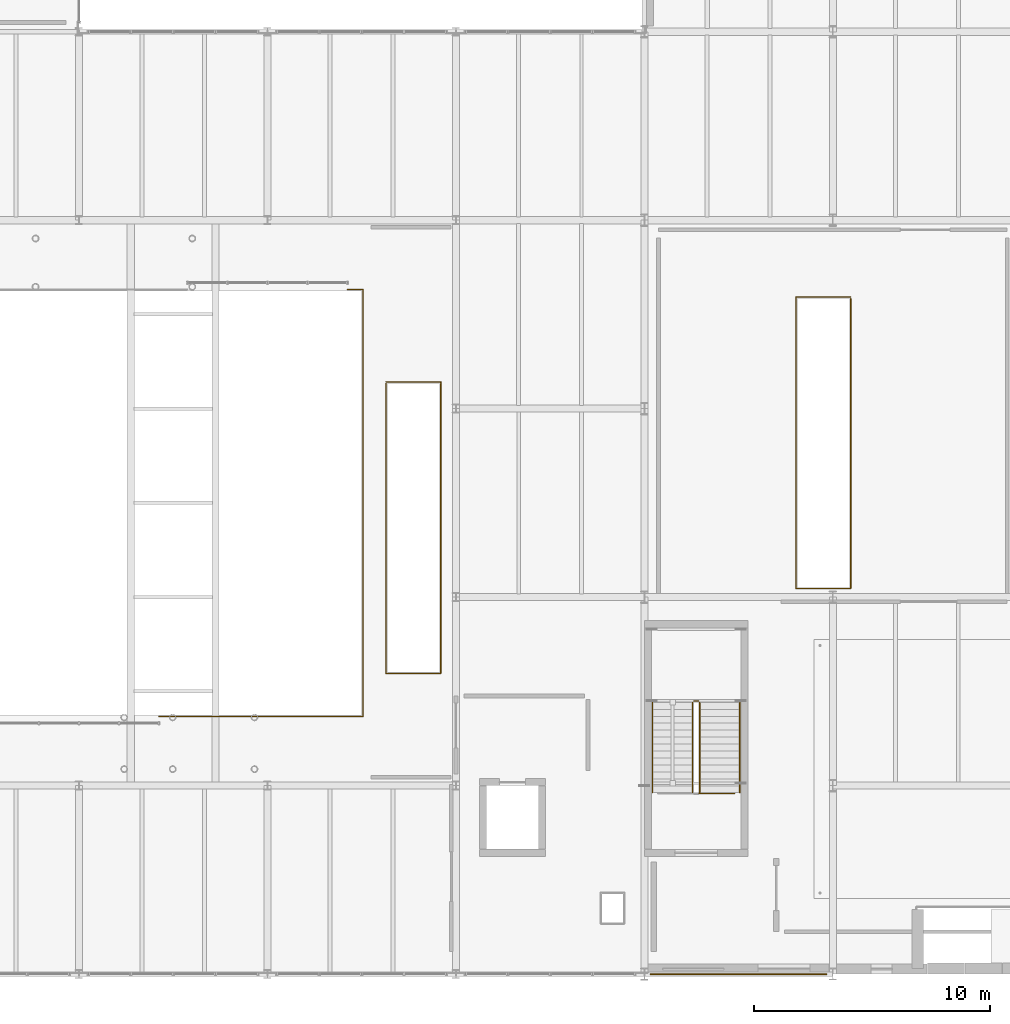
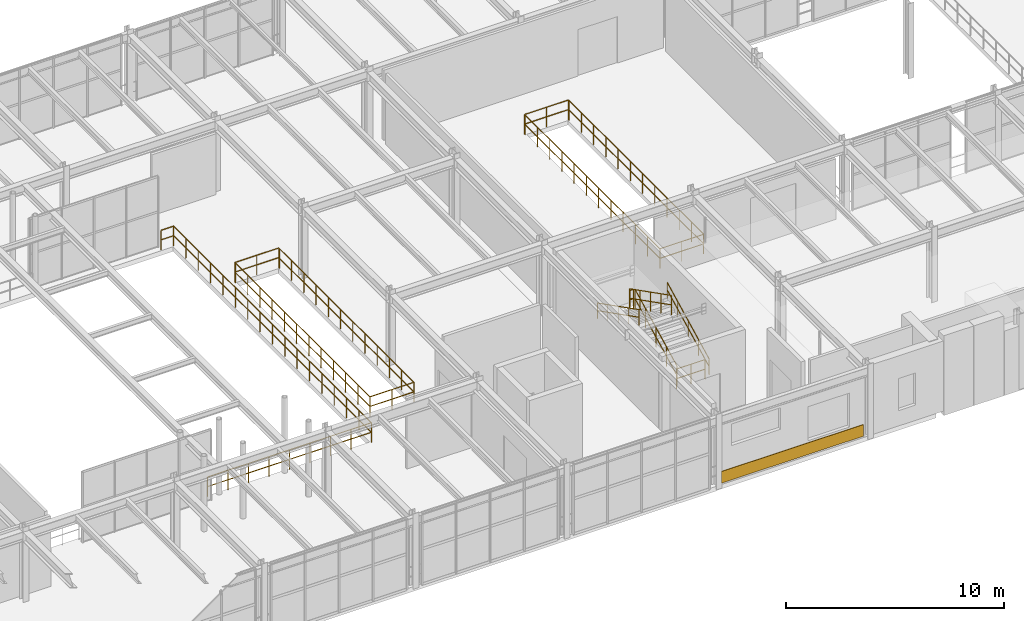
# One storey, part 113 of 122: 11 railings, 1 covering.
"""IFC4 building model written with IfcOpenShell, lengths in metres."""

from ifc_helpers import new_model, si_unit, direction, frame, origin, origin_2d, place, context, subcontext, project, spatial, rectangle, circle, extrude, material, layer, layer_set, type_object, element, save


model = new_model("IFC4")

# Units and contexts
model_context = context("Model", 3, precision=1e-05, world=origin(), true_north=direction((0.0, 1.0)))
body_context = subcontext(model_context, "Body", "Model", "MODEL_VIEW")
ifc_project = project(units=[si_unit("LENGTHUNIT", "METRE"), si_unit("AREAUNIT", "SQUARE_METRE"), si_unit("VOLUMEUNIT", "CUBIC_METRE"), si_unit("PLANEANGLEUNIT", "RADIAN"), si_unit("MASSUNIT", "GRAM", prefix="KILO")], contexts=[model_context])

# Site, building, storey
site_placement = place(None, origin())
site = spatial("IfcSite", under=ifc_project, at=site_placement, CompositionType="ELEMENT")
building_placement = place(site_placement, origin())
building = spatial("IfcBuilding", under=site, at=building_placement, Name="Sundkrona Museum", CompositionType="ELEMENT")
storey_placement = place(building_placement, frame((0.0, 0.0, 5.39990234375)))
storey = spatial("IfcBuildingStorey", under=building, at=storey_placement, Name="L01", CompositionType="ELEMENT", Elevation=5.39990234375)

# Covering
ifc_material_1 = material(Name="Frost-Resistant Vitrified Stoneware Mosaic Cladding", Category="masonry")
ifc_layer = layer(ifc_material_1, 0.044921875)
ifc_layer_set = layer_set([ifc_layer], Name="Frost-Resistant Vitrified Stoneware Mosaic Cladding")
covering_type = type_object("IfcCoveringType", Name="COV-CLD-MOS", PredefinedType="CLADDING", material=ifc_layer_set)
covering_placement = place(storey_placement, frame((124.0, 0.0, 0.09521484375), z_axis=(0.0, 0.0, 1.0), x_axis=(1.0, 0.0, 0.0)))
element("IfcCovering", 1, at=covering_placement, inside=storey, type_object=covering_type, Name="L01 Vitrified Stoneware Mosaic Spandrel 001", PredefinedType="CLADDING", context=body_context, shape_type="SweptSolid", body=[
    extrude(rectangle(XDim=7.49609375, YDim=0.044921875, at=origin_2d()), origin(), (0.0, 0.0, 1.0), 0.64990234375),
])

# Railings
ifc_material_2 = material(Name="Painted Steel S355J2 and Laminated Glass Balustrade", Category="steel")
railing_type_1 = type_object("IfcRailingType", Name="RL-GUARD-1100", PredefinedType="BALUSTRADE", material=ifc_material_2)
railing_1_placement = place(storey_placement, frame((122.35009765625, 7.699951171875, 0.150146484375)))
element("IfcRailing", 2, at=railing_1_placement, inside=storey, type_object=railing_type_1, Name="L01 ST-2 stair guard 1", PredefinedType="BALUSTRADE", context=body_context, shape_type="SweptSolid", body=[
    extrude(circle(Radius=0.02392578125, at=origin_2d()), frame((0.0, 0.0, 1.076171875), z_axis=(0.0, 0.891387850335, 0.453241326752), x_axis=(-1.0, 0.0, 0.0)), (0.0, 0.0, 1.0), 4.30224609375),
    extrude(circle(Radius=0.02392578125, at=origin_2d()), frame((0.0, 0.0, 0.550048828125), z_axis=(0.0, 0.891387850335, 0.453241326752), x_axis=(-1.0, 0.0, 0.0)), (0.0, 0.0, 1.0), 4.30224609375),
    extrude(circle(Radius=0.02099609375, at=origin_2d()), origin(), (0.0, 0.0, 1.0), 1.052001953125),
    extrude(circle(Radius=0.02099609375, at=origin_2d()), frame((0.0, 0.958740234375, 0.487548828125)), (0.0, 0.0, 1.0), 1.052001953125),
    extrude(circle(Radius=0.02099609375, at=origin_2d()), frame((0.0, 1.91748046875, 0.97509765625)), (0.0, 0.0, 1.0), 1.052001953125),
    extrude(circle(Radius=0.02099609375, at=origin_2d()), frame((0.0, 2.876220703125, 1.46240234375)), (0.0, 0.0, 1.0), 1.052001953125),
    extrude(circle(Radius=0.02099609375, at=origin_2d()), frame((0.0, 3.8349609375, 1.949951171875)), (0.0, 0.0, 1.0), 1.052001953125),
])
railing_2_placement = place(storey_placement, frame((122.300048828125, 11.5849609375, 2.10009765625)))
element("IfcRailing", 3, at=railing_2_placement, inside=storey, type_object=railing_type_1, Name="L01 ST-2 stair guard 2", PredefinedType="BALUSTRADE", context=body_context, shape_type="SweptSolid", body=[
    extrude(circle(Radius=0.02392578125, at=origin_2d()), frame((0.0, 0.0, 1.076171875), z_axis=(-1.0, 0.0, 0.0), x_axis=(0.0, -1.0, 0.0)), (0.0, 0.0, 1.0), 0.199951171875),
    extrude(circle(Radius=0.02392578125, at=origin_2d()), frame((0.0, 0.0, 0.550048828125), z_axis=(-1.0, 0.0, 0.0), x_axis=(0.0, -1.0, 0.0)), (0.0, 0.0, 1.0), 0.199951171875),
    extrude(circle(Radius=0.02099609375, at=origin_2d()), origin(), (0.0, 0.0, 1.0), 1.052001953125),
    extrude(circle(Radius=0.02099609375, at=origin_2d()), frame((-0.199951171875, 0.0, 0.0)), (0.0, 0.0, 1.0), 1.052001953125),
])
railing_3_placement = place(storey_placement, frame((122.050048828125, 11.534912109375, 2.25)))
element("IfcRailing", 4, at=railing_3_placement, inside=storey, type_object=railing_type_1, Name="L01 ST-2 stair guard 3", PredefinedType="BALUSTRADE", context=body_context, shape_type="SweptSolid", body=[
    extrude(circle(Radius=0.02392578125, at=origin_2d()), frame((0.0, 0.0, 1.076171875), z_axis=(0.0, -0.891364923058, 0.453286414909), x_axis=(1.0, 0.0, 0.0)), (0.0, 0.0, 1.0), 4.30224609375),
    extrude(circle(Radius=0.02392578125, at=origin_2d()), frame((0.0, 0.0, 0.550048828125), z_axis=(0.0, -0.891364923058, 0.453286414909), x_axis=(1.0, 0.0, 0.0)), (0.0, 0.0, 1.0), 4.30224609375),
    extrude(circle(Radius=0.02099609375, at=origin_2d()), origin(), (0.0, 0.0, 1.0), 1.052001953125),
    extrude(circle(Radius=0.02099609375, at=origin_2d()), frame((0.0, -0.958740234375, 0.487548828125)), (0.0, 0.0, 1.0), 1.052001953125),
    extrude(circle(Radius=0.02099609375, at=origin_2d()), frame((0.0, -1.91748046875, 0.97509765625)), (0.0, 0.0, 1.0), 1.052001953125),
    extrude(circle(Radius=0.02099609375, at=origin_2d()), frame((0.0, -2.876220703125, 1.462646484375)), (0.0, 0.0, 1.0), 1.052001953125),
    extrude(circle(Radius=0.02099609375, at=origin_2d()), frame((0.0, -3.8349609375, 1.9501953125)), (0.0, 0.0, 1.0), 1.052001953125),
])
railing_4_placement = place(storey_placement, frame((109.0400390625, 25.080078125, 0.0)))
element("IfcRailing", 5, at=railing_4_placement, inside=storey, type_object=railing_type_1, Name="FS-1 Arrival Floor Well Balustrade", PredefinedType="BALUSTRADE", context=body_context, shape_type="SweptSolid", body=[
    extrude(circle(Radius=0.02392578125, at=origin_2d()), frame((0.0, 0.0, 1.09619140625), z_axis=(0.0, -1.0, 0.0), x_axis=(1.0, 0.0, 0.0)), (0.0, 0.0, 1.0), 12.320068359375),
    extrude(circle(Radius=0.02392578125, at=origin_2d()), frame((0.0, 0.0, 0.56005859375), z_axis=(0.0, -1.0, 0.0), x_axis=(1.0, 0.0, 0.0)), (0.0, 0.0, 1.0), 12.320068359375),
    extrude(circle(Radius=0.02392578125, at=origin_2d()), frame((0.0, -12.320068359375, 1.09619140625), z_axis=(1.0, 0.0, 0.0), x_axis=(0.0, 1.0, 0.0)), (0.0, 0.0, 1.0), 2.320068359375),
    extrude(circle(Radius=0.02392578125, at=origin_2d()), frame((0.0, -12.320068359375, 0.56005859375), z_axis=(1.0, 0.0, 0.0), x_axis=(0.0, 1.0, 0.0)), (0.0, 0.0, 1.0), 2.320068359375),
    extrude(circle(Radius=0.02392578125, at=origin_2d()), frame((2.320068359375, -12.320068359375, 1.09619140625), z_axis=(0.0, 1.0, 0.0), x_axis=(-1.0, 0.0, 0.0)), (0.0, 0.0, 1.0), 12.320068359375),
    extrude(circle(Radius=0.02392578125, at=origin_2d()), frame((2.320068359375, -12.320068359375, 0.56005859375), z_axis=(0.0, 1.0, 0.0), x_axis=(-1.0, 0.0, 0.0)), (0.0, 0.0, 1.0), 12.320068359375),
    extrude(circle(Radius=0.02099609375, at=origin_2d()), origin(), (0.0, 0.0, 1.0), 1.072021484375),
    extrude(circle(Radius=0.02099609375, at=origin_2d()), frame((0.0, -1.1201171875, 0.0)), (0.0, 0.0, 1.0), 1.072021484375),
    extrude(circle(Radius=0.02099609375, at=origin_2d()), frame((0.0, -2.239990234375, 0.0)), (0.0, 0.0, 1.0), 1.072021484375),
    extrude(circle(Radius=0.02099609375, at=origin_2d()), frame((0.0, -3.360107421875, 0.0)), (0.0, 0.0, 1.0), 1.072021484375),
    extrude(circle(Radius=0.02099609375, at=origin_2d()), frame((0.0, -4.47998046875, 0.0)), (0.0, 0.0, 1.0), 1.072021484375),
    extrude(circle(Radius=0.02099609375, at=origin_2d()), frame((0.0, -5.60009765625, 0.0)), (0.0, 0.0, 1.0), 1.072021484375),
    extrude(circle(Radius=0.02099609375, at=origin_2d()), frame((0.0, -6.719970703125, 0.0)), (0.0, 0.0, 1.0), 1.072021484375),
    extrude(circle(Radius=0.02099609375, at=origin_2d()), frame((0.0, -7.840087890625, 0.0)), (0.0, 0.0, 1.0), 1.072021484375),
    extrude(circle(Radius=0.02099609375, at=origin_2d()), frame((0.0, -8.9599609375, 0.0)), (0.0, 0.0, 1.0), 1.072021484375),
    extrude(circle(Radius=0.02099609375, at=origin_2d()), frame((0.0, -10.080078125, 0.0)), (0.0, 0.0, 1.0), 1.072021484375),
    extrude(circle(Radius=0.02099609375, at=origin_2d()), frame((0.0, -11.199951171875, 0.0)), (0.0, 0.0, 1.0), 1.072021484375),
    extrude(circle(Radius=0.02099609375, at=origin_2d()), frame((0.0, -12.320068359375, 0.0)), (0.0, 0.0, 1.0), 1.072021484375),
    extrude(circle(Radius=0.02099609375, at=origin_2d()), frame((1.16015625, -12.320068359375, 0.0)), (0.0, 0.0, 1.0), 1.072021484375),
    extrude(circle(Radius=0.02099609375, at=origin_2d()), frame((2.320068359375, -12.320068359375, 0.0)), (0.0, 0.0, 1.0), 1.072021484375),
    extrude(circle(Radius=0.02099609375, at=origin_2d()), frame((2.320068359375, -11.199951171875, 0.0)), (0.0, 0.0, 1.0), 1.072021484375),
    extrude(circle(Radius=0.02099609375, at=origin_2d()), frame((2.320068359375, -10.080078125, 0.0)), (0.0, 0.0, 1.0), 1.072021484375),
    extrude(circle(Radius=0.02099609375, at=origin_2d()), frame((2.320068359375, -8.9599609375, 0.0)), (0.0, 0.0, 1.0), 1.072021484375),
    extrude(circle(Radius=0.02099609375, at=origin_2d()), frame((2.320068359375, -7.840087890625, 0.0)), (0.0, 0.0, 1.0), 1.072021484375),
    extrude(circle(Radius=0.02099609375, at=origin_2d()), frame((2.320068359375, -6.719970703125, 0.0)), (0.0, 0.0, 1.0), 1.072021484375),
    extrude(circle(Radius=0.02099609375, at=origin_2d()), frame((2.320068359375, -5.60009765625, 0.0)), (0.0, 0.0, 1.0), 1.072021484375),
    extrude(circle(Radius=0.02099609375, at=origin_2d()), frame((2.320068359375, -4.47998046875, 0.0)), (0.0, 0.0, 1.0), 1.072021484375),
    extrude(circle(Radius=0.02099609375, at=origin_2d()), frame((2.320068359375, -3.360107421875, 0.0)), (0.0, 0.0, 1.0), 1.072021484375),
    extrude(circle(Radius=0.02099609375, at=origin_2d()), frame((2.320068359375, -2.239990234375, 0.0)), (0.0, 0.0, 1.0), 1.072021484375),
    extrude(circle(Radius=0.02099609375, at=origin_2d()), frame((2.320068359375, -1.1201171875, 0.0)), (0.0, 0.0, 1.0), 1.072021484375),
    extrude(circle(Radius=0.02099609375, at=origin_2d()), frame((2.320068359375, 0.0, 0.0)), (0.0, 0.0, 1.0), 1.072021484375),
])
railing_5_placement = place(storey_placement, frame((126.43994140625, 28.679931640625, 0.0)))
element("IfcRailing", 6, at=railing_5_placement, inside=storey, type_object=railing_type_1, Name="FS-5 Arrival Floor Well Balustrade", PredefinedType="BALUSTRADE", context=body_context, shape_type="SweptSolid", body=[
    extrude(circle(Radius=0.02392578125, at=origin_2d()), frame((0.0, 0.0, 1.09619140625), z_axis=(0.0, -1.0, 0.0), x_axis=(1.0, 0.0, 0.0)), (0.0, 0.0, 1.0), 12.31982421875),
    extrude(circle(Radius=0.02392578125, at=origin_2d()), frame((0.0, 0.0, 0.56005859375), z_axis=(0.0, -1.0, 0.0), x_axis=(1.0, 0.0, 0.0)), (0.0, 0.0, 1.0), 12.31982421875),
    extrude(circle(Radius=0.02392578125, at=origin_2d()), frame((0.0, -12.31982421875, 1.09619140625), z_axis=(1.0, 0.0, 0.0), x_axis=(0.0, 1.0, 0.0)), (0.0, 0.0, 1.0), 2.320068359375),
    extrude(circle(Radius=0.02392578125, at=origin_2d()), frame((0.0, -12.31982421875, 0.56005859375), z_axis=(1.0, 0.0, 0.0), x_axis=(0.0, 1.0, 0.0)), (0.0, 0.0, 1.0), 2.320068359375),
    extrude(circle(Radius=0.02392578125, at=origin_2d()), frame((2.320068359375, -12.31982421875, 1.09619140625), z_axis=(0.0, 1.0, 0.0), x_axis=(-1.0, 0.0, 0.0)), (0.0, 0.0, 1.0), 12.31982421875),
    extrude(circle(Radius=0.02392578125, at=origin_2d()), frame((2.320068359375, -12.31982421875, 0.56005859375), z_axis=(0.0, 1.0, 0.0), x_axis=(-1.0, 0.0, 0.0)), (0.0, 0.0, 1.0), 12.31982421875),
    extrude(circle(Radius=0.02099609375, at=origin_2d()), origin(), (0.0, 0.0, 1.0), 1.072021484375),
    extrude(circle(Radius=0.02099609375, at=origin_2d()), frame((0.0, -1.119873046875, 0.0)), (0.0, 0.0, 1.0), 1.072021484375),
    extrude(circle(Radius=0.02099609375, at=origin_2d()), frame((0.0, -2.239990234375, 0.0)), (0.0, 0.0, 1.0), 1.072021484375),
    extrude(circle(Radius=0.02099609375, at=origin_2d()), frame((0.0, -3.35986328125, 0.0)), (0.0, 0.0, 1.0), 1.072021484375),
    extrude(circle(Radius=0.02099609375, at=origin_2d()), frame((0.0, -4.47998046875, 0.0)), (0.0, 0.0, 1.0), 1.072021484375),
    extrude(circle(Radius=0.02099609375, at=origin_2d()), frame((0.0, -5.599853515625, 0.0)), (0.0, 0.0, 1.0), 1.072021484375),
    extrude(circle(Radius=0.02099609375, at=origin_2d()), frame((0.0, -6.719970703125, 0.0)), (0.0, 0.0, 1.0), 1.072021484375),
    extrude(circle(Radius=0.02099609375, at=origin_2d()), frame((0.0, -7.83984375, 0.0)), (0.0, 0.0, 1.0), 1.072021484375),
    extrude(circle(Radius=0.02099609375, at=origin_2d()), frame((0.0, -8.9599609375, 0.0)), (0.0, 0.0, 1.0), 1.072021484375),
    extrude(circle(Radius=0.02099609375, at=origin_2d()), frame((0.0, -10.079833984375, 0.0)), (0.0, 0.0, 1.0), 1.072021484375),
    extrude(circle(Radius=0.02099609375, at=origin_2d()), frame((0.0, -11.199951171875, 0.0)), (0.0, 0.0, 1.0), 1.072021484375),
    extrude(circle(Radius=0.02099609375, at=origin_2d()), frame((0.0, -12.31982421875, 0.0)), (0.0, 0.0, 1.0), 1.072021484375),
    extrude(circle(Radius=0.02099609375, at=origin_2d()), frame((1.16015625, -12.31982421875, 0.0)), (0.0, 0.0, 1.0), 1.072021484375),
    extrude(circle(Radius=0.02099609375, at=origin_2d()), frame((2.320068359375, -12.31982421875, 0.0)), (0.0, 0.0, 1.0), 1.072021484375),
    extrude(circle(Radius=0.02099609375, at=origin_2d()), frame((2.320068359375, -11.199951171875, 0.0)), (0.0, 0.0, 1.0), 1.072021484375),
    extrude(circle(Radius=0.02099609375, at=origin_2d()), frame((2.320068359375, -10.079833984375, 0.0)), (0.0, 0.0, 1.0), 1.072021484375),
    extrude(circle(Radius=0.02099609375, at=origin_2d()), frame((2.320068359375, -8.9599609375, 0.0)), (0.0, 0.0, 1.0), 1.072021484375),
    extrude(circle(Radius=0.02099609375, at=origin_2d()), frame((2.320068359375, -7.83984375, 0.0)), (0.0, 0.0, 1.0), 1.072021484375),
    extrude(circle(Radius=0.02099609375, at=origin_2d()), frame((2.320068359375, -6.719970703125, 0.0)), (0.0, 0.0, 1.0), 1.072021484375),
    extrude(circle(Radius=0.02099609375, at=origin_2d()), frame((2.320068359375, -5.599853515625, 0.0)), (0.0, 0.0, 1.0), 1.072021484375),
    extrude(circle(Radius=0.02099609375, at=origin_2d()), frame((2.320068359375, -4.47998046875, 0.0)), (0.0, 0.0, 1.0), 1.072021484375),
    extrude(circle(Radius=0.02099609375, at=origin_2d()), frame((2.320068359375, -3.35986328125, 0.0)), (0.0, 0.0, 1.0), 1.072021484375),
    extrude(circle(Radius=0.02099609375, at=origin_2d()), frame((2.320068359375, -2.239990234375, 0.0)), (0.0, 0.0, 1.0), 1.072021484375),
    extrude(circle(Radius=0.02099609375, at=origin_2d()), frame((2.320068359375, -1.119873046875, 0.0)), (0.0, 0.0, 1.0), 1.072021484375),
    extrude(circle(Radius=0.02099609375, at=origin_2d()), frame((2.320068359375, 0.0, 0.0)), (0.0, 0.0, 1.0), 1.072021484375),
])
railing_6_placement = place(storey_placement, frame((99.39990234375, 10.93994140625, 0.0)))
element("IfcRailing", 7, at=railing_6_placement, inside=storey, type_object=railing_type_1, Name="L01 Edge Protection Balustrade 049", PredefinedType="BALUSTRADE", context=body_context, shape_type="SweptSolid", body=[
    extrude(circle(Radius=0.02392578125, at=origin_2d()), frame((0.0, 0.0, 1.09619140625), z_axis=(1.0, 0.0, 0.0), x_axis=(0.0, 1.0, 0.0)), (0.0, 0.0, 1.0), 8.66015625),
    extrude(circle(Radius=0.02392578125, at=origin_2d()), frame((0.0, 0.0, 0.56005859375), z_axis=(1.0, 0.0, 0.0), x_axis=(0.0, 1.0, 0.0)), (0.0, 0.0, 1.0), 8.66015625),
    extrude(circle(Radius=0.02392578125, at=origin_2d()), frame((8.66015625, 0.0, 1.09619140625), z_axis=(0.0, 1.0, 0.0), x_axis=(-1.0, 0.0, 0.0)), (0.0, 0.0, 1.0), 18.1201171875),
    extrude(circle(Radius=0.02392578125, at=origin_2d()), frame((8.66015625, 0.0, 0.56005859375), z_axis=(0.0, 1.0, 0.0), x_axis=(-1.0, 0.0, 0.0)), (0.0, 0.0, 1.0), 18.1201171875),
    extrude(circle(Radius=0.02392578125, at=origin_2d()), frame((8.66015625, 18.1201171875, 1.09619140625), z_axis=(-1.0, 0.0, 0.0), x_axis=(0.0, -1.0, 0.0)), (0.0, 0.0, 1.0), 0.66015625),
    extrude(circle(Radius=0.02392578125, at=origin_2d()), frame((8.66015625, 18.1201171875, 0.56005859375), z_axis=(-1.0, 0.0, 0.0), x_axis=(0.0, -1.0, 0.0)), (0.0, 0.0, 1.0), 0.66015625),
    extrude(circle(Radius=0.02099609375, at=origin_2d()), origin(), (0.0, 0.0, 1.0), 1.072021484375),
    extrude(circle(Radius=0.02099609375, at=origin_2d()), frame((1.08251953125, 0.0, 0.0)), (0.0, 0.0, 1.0), 1.072021484375),
    extrude(circle(Radius=0.02099609375, at=origin_2d()), frame((2.1650390625, 0.0, 0.0)), (0.0, 0.0, 1.0), 1.072021484375),
    extrude(circle(Radius=0.02099609375, at=origin_2d()), frame((3.24755859375, 0.0, 0.0)), (0.0, 0.0, 1.0), 1.072021484375),
    extrude(circle(Radius=0.02099609375, at=origin_2d()), frame((4.330078125, 0.0, 0.0)), (0.0, 0.0, 1.0), 1.072021484375),
    extrude(circle(Radius=0.02099609375, at=origin_2d()), frame((5.41259765625, 0.0, 0.0)), (0.0, 0.0, 1.0), 1.072021484375),
    extrude(circle(Radius=0.02099609375, at=origin_2d()), frame((6.4951171875, 0.0, 0.0)), (0.0, 0.0, 1.0), 1.072021484375),
    extrude(circle(Radius=0.02099609375, at=origin_2d()), frame((7.57763671875, 0.0, 0.0)), (0.0, 0.0, 1.0), 1.072021484375),
    extrude(circle(Radius=0.02099609375, at=origin_2d()), frame((8.66015625, 0.0, 0.0)), (0.0, 0.0, 1.0), 1.072021484375),
    extrude(circle(Radius=0.02099609375, at=origin_2d()), frame((8.66015625, 1.132568359375, 0.0)), (0.0, 0.0, 1.0), 1.072021484375),
    extrude(circle(Radius=0.02099609375, at=origin_2d()), frame((8.66015625, 2.26513671875, 0.0)), (0.0, 0.0, 1.0), 1.072021484375),
    extrude(circle(Radius=0.02099609375, at=origin_2d()), frame((8.66015625, 3.3974609375, 0.0)), (0.0, 0.0, 1.0), 1.072021484375),
    extrude(circle(Radius=0.02099609375, at=origin_2d()), frame((8.66015625, 4.530029296875, 0.0)), (0.0, 0.0, 1.0), 1.072021484375),
    extrude(circle(Radius=0.02099609375, at=origin_2d()), frame((8.66015625, 5.66259765625, 0.0)), (0.0, 0.0, 1.0), 1.072021484375),
    extrude(circle(Radius=0.02099609375, at=origin_2d()), frame((8.66015625, 6.794921875, 0.0)), (0.0, 0.0, 1.0), 1.072021484375),
    extrude(circle(Radius=0.02099609375, at=origin_2d()), frame((8.66015625, 7.927490234375, 0.0)), (0.0, 0.0, 1.0), 1.072021484375),
    extrude(circle(Radius=0.02099609375, at=origin_2d()), frame((8.66015625, 9.06005859375, 0.0)), (0.0, 0.0, 1.0), 1.072021484375),
    extrude(circle(Radius=0.02099609375, at=origin_2d()), frame((8.66015625, 10.192626953125, 0.0)), (0.0, 0.0, 1.0), 1.072021484375),
    extrude(circle(Radius=0.02099609375, at=origin_2d()), frame((8.66015625, 11.3251953125, 0.0)), (0.0, 0.0, 1.0), 1.072021484375),
    extrude(circle(Radius=0.02099609375, at=origin_2d()), frame((8.66015625, 12.45751953125, 0.0)), (0.0, 0.0, 1.0), 1.072021484375),
    extrude(circle(Radius=0.02099609375, at=origin_2d()), frame((8.66015625, 13.590087890625, 0.0)), (0.0, 0.0, 1.0), 1.072021484375),
    extrude(circle(Radius=0.02099609375, at=origin_2d()), frame((8.66015625, 14.72265625, 0.0)), (0.0, 0.0, 1.0), 1.072021484375),
    extrude(circle(Radius=0.02099609375, at=origin_2d()), frame((8.66015625, 15.85498046875, 0.0)), (0.0, 0.0, 1.0), 1.072021484375),
    extrude(circle(Radius=0.02099609375, at=origin_2d()), frame((8.66015625, 16.987548828125, 0.0)), (0.0, 0.0, 1.0), 1.072021484375),
    extrude(circle(Radius=0.02099609375, at=origin_2d()), frame((8.66015625, 18.1201171875, 0.0)), (0.0, 0.0, 1.0), 1.072021484375),
    extrude(circle(Radius=0.02099609375, at=origin_2d()), frame((8.0, 18.1201171875, 0.0)), (0.0, 0.0, 1.0), 1.072021484375),
])
railing_7_placement = place(storey_placement, frame((111.360107421875, 25.10009765625, 0.0)))
element("IfcRailing", 8, at=railing_7_placement, inside=storey, type_object=railing_type_1, Name="L01 Edge Protection Balustrade 052", PredefinedType="BALUSTRADE", context=body_context, shape_type="SweptSolid", body=[
    extrude(circle(Radius=0.02392578125, at=origin_2d()), frame((0.0, 0.0, 1.09619140625), z_axis=(0.0, 1.0, 0.0), x_axis=(-1.0, 0.0, 0.0)), (0.0, 0.0, 1.0), 0.039794921875),
    extrude(circle(Radius=0.02392578125, at=origin_2d()), frame((0.0, 0.0, 0.56005859375), z_axis=(0.0, 1.0, 0.0), x_axis=(-1.0, 0.0, 0.0)), (0.0, 0.0, 1.0), 0.039794921875),
    extrude(circle(Radius=0.02392578125, at=origin_2d()), frame((0.0, 0.039794921875, 1.09619140625), z_axis=(-1.0, 0.0, 0.0), x_axis=(0.0, -1.0, 0.0)), (0.0, 0.0, 1.0), 2.320068359375),
    extrude(circle(Radius=0.02392578125, at=origin_2d()), frame((0.0, 0.039794921875, 0.56005859375), z_axis=(-1.0, 0.0, 0.0), x_axis=(0.0, -1.0, 0.0)), (0.0, 0.0, 1.0), 2.320068359375),
    extrude(circle(Radius=0.02099609375, at=origin_2d()), origin(), (0.0, 0.0, 1.0), 1.072021484375),
    extrude(circle(Radius=0.02099609375, at=origin_2d()), frame((0.0, 0.039794921875, 0.0)), (0.0, 0.0, 1.0), 1.072021484375),
    extrude(circle(Radius=0.02099609375, at=origin_2d()), frame((-1.16015625, 0.039794921875, 0.0)), (0.0, 0.0, 1.0), 1.072021484375),
    extrude(circle(Radius=0.02099609375, at=origin_2d()), frame((-2.320068359375, 0.039794921875, 0.0)), (0.0, 0.0, 1.0), 1.072021484375),
])
railing_8_placement = place(storey_placement, frame((122.300048828125, 7.6650390625, 0.0)))
element("IfcRailing", 9, at=railing_8_placement, inside=storey, type_object=railing_type_1, Name="L01 Edge Protection Balustrade 060", PredefinedType="BALUSTRADE", context=body_context, shape_type="SweptSolid", body=[
    extrude(circle(Radius=0.02392578125, at=origin_2d()), frame((0.0, 0.0, 1.09619140625), z_axis=(1.0, 0.0, 0.0), x_axis=(0.0, 1.0, 0.0)), (0.0, 0.0, 1.0), 1.52001953125),
    extrude(circle(Radius=0.02392578125, at=origin_2d()), frame((0.0, 0.0, 0.56005859375), z_axis=(1.0, 0.0, 0.0), x_axis=(0.0, 1.0, 0.0)), (0.0, 0.0, 1.0), 1.52001953125),
    extrude(circle(Radius=0.02099609375, at=origin_2d()), origin(), (0.0, 0.0, 1.0), 1.072021484375),
    extrude(circle(Radius=0.02099609375, at=origin_2d()), frame((0.760009765625, 0.0, 0.0)), (0.0, 0.0, 1.0), 1.072021484375),
    extrude(circle(Radius=0.02099609375, at=origin_2d()), frame((1.52001953125, 0.0, 0.0)), (0.0, 0.0, 1.0), 1.072021484375),
])
railing_9_placement = place(storey_placement, frame((128.760009765625, 28.739990234375, 0.0)))
element("IfcRailing", 10, at=railing_9_placement, inside=storey, type_object=railing_type_1, Name="L01 Edge Protection Balustrade 061", PredefinedType="BALUSTRADE", context=body_context, shape_type="SweptSolid", body=[
    extrude(circle(Radius=0.02392578125, at=origin_2d()), frame((0.0, 0.0, 1.09619140625), z_axis=(-1.0, 0.0, 0.0), x_axis=(0.0, -1.0, 0.0)), (0.0, 0.0, 1.0), 2.320068359375),
    extrude(circle(Radius=0.02392578125, at=origin_2d()), frame((0.0, 0.0, 0.56005859375), z_axis=(-1.0, 0.0, 0.0), x_axis=(0.0, -1.0, 0.0)), (0.0, 0.0, 1.0), 2.320068359375),
    extrude(circle(Radius=0.02392578125, at=origin_2d()), frame((-2.320068359375, 0.0, 1.09619140625), z_axis=(0.0, -1.0, 0.0), x_axis=(1.0, 0.0, 0.0)), (0.0, 0.0, 1.0), 0.0400390625),
    extrude(circle(Radius=0.02392578125, at=origin_2d()), frame((-2.320068359375, 0.0, 0.56005859375), z_axis=(0.0, -1.0, 0.0), x_axis=(1.0, 0.0, 0.0)), (0.0, 0.0, 1.0), 0.0400390625),
    extrude(circle(Radius=0.02099609375, at=origin_2d()), origin(), (0.0, 0.0, 1.0), 1.072021484375),
    extrude(circle(Radius=0.02099609375, at=origin_2d()), frame((-1.16015625, 0.0, 0.0)), (0.0, 0.0, 1.0), 1.072021484375),
    extrude(circle(Radius=0.02099609375, at=origin_2d()), frame((-2.320068359375, 0.0, 0.0)), (0.0, 0.0, 1.0), 1.072021484375),
    extrude(circle(Radius=0.02099609375, at=origin_2d()), frame((-2.320068359375, -0.0400390625, 0.0)), (0.0, 0.0, 1.0), 1.072021484375),
])
ifc_material_3 = material(Name="Brushed Bronze-Clad Steel Handrail", Category="steel")
railing_type_2 = type_object("IfcRailingType", Name="RL-HAND-900", PredefinedType="HANDRAIL", material=ifc_material_3)
railing_10_placement = place(storey_placement, frame((124.050048828125, 7.699951171875, 0.150146484375)))
element("IfcRailing", 11, at=railing_10_placement, inside=storey, type_object=railing_type_2, Name="L01 ST-2 stair handrail 1", PredefinedType="HANDRAIL", context=body_context, shape_type="SweptSolid", body=[
    extrude(circle(Radius=0.02392578125, at=origin_2d()), frame((0.0, 0.0, 0.8759765625), z_axis=(0.0, 0.891387850335, 0.453241326752), x_axis=(-1.0, 0.0, 0.0)), (0.0, 0.0, 1.0), 4.30224609375),
    extrude(circle(Radius=0.02392578125, at=origin_2d()), frame((0.0, 0.0, 0.449951171875), z_axis=(0.0, 0.891387850335, 0.453241326752), x_axis=(-1.0, 0.0, 0.0)), (0.0, 0.0, 1.0), 4.30224609375),
    extrude(circle(Radius=0.02099609375, at=origin_2d()), origin(), (0.0, 0.0, 1.0), 0.851806640625),
    extrude(circle(Radius=0.02099609375, at=origin_2d()), frame((0.0, 0.958740234375, 0.487548828125)), (0.0, 0.0, 1.0), 0.851806640625),
    extrude(circle(Radius=0.02099609375, at=origin_2d()), frame((0.0, 1.91748046875, 0.97509765625)), (0.0, 0.0, 1.0), 0.851806640625),
    extrude(circle(Radius=0.02099609375, at=origin_2d()), frame((0.0, 2.876220703125, 1.46240234375)), (0.0, 0.0, 1.0), 0.851806640625),
    extrude(circle(Radius=0.02099609375, at=origin_2d()), frame((0.0, 3.8349609375, 1.949951171875)), (0.0, 0.0, 1.0), 0.851806640625),
])
railing_11_placement = place(storey_placement, frame((120.35009765625, 11.534912109375, 2.25)))
element("IfcRailing", 12, at=railing_11_placement, inside=storey, type_object=railing_type_2, Name="L01 ST-2 stair handrail 2", PredefinedType="HANDRAIL", context=body_context, shape_type="SweptSolid", body=[
    extrude(circle(Radius=0.02392578125, at=origin_2d()), frame((0.0, 0.0, 0.8759765625), z_axis=(0.0, -0.891364923058, 0.453286414909), x_axis=(1.0, 0.0, 0.0)), (0.0, 0.0, 1.0), 4.30224609375),
    extrude(circle(Radius=0.02392578125, at=origin_2d()), frame((0.0, 0.0, 0.449951171875), z_axis=(0.0, -0.891364923058, 0.453286414909), x_axis=(1.0, 0.0, 0.0)), (0.0, 0.0, 1.0), 4.30224609375),
    extrude(circle(Radius=0.02099609375, at=origin_2d()), origin(), (0.0, 0.0, 1.0), 0.851806640625),
    extrude(circle(Radius=0.02099609375, at=origin_2d()), frame((0.0, -0.958740234375, 0.487548828125)), (0.0, 0.0, 1.0), 0.851806640625),
    extrude(circle(Radius=0.02099609375, at=origin_2d()), frame((0.0, -1.91748046875, 0.97509765625)), (0.0, 0.0, 1.0), 0.851806640625),
    extrude(circle(Radius=0.02099609375, at=origin_2d()), frame((0.0, -2.876220703125, 1.462646484375)), (0.0, 0.0, 1.0), 0.851806640625),
    extrude(circle(Radius=0.02099609375, at=origin_2d()), frame((0.0, -3.8349609375, 1.9501953125)), (0.0, 0.0, 1.0), 0.851806640625),
])

save(model, "model.ifc")
